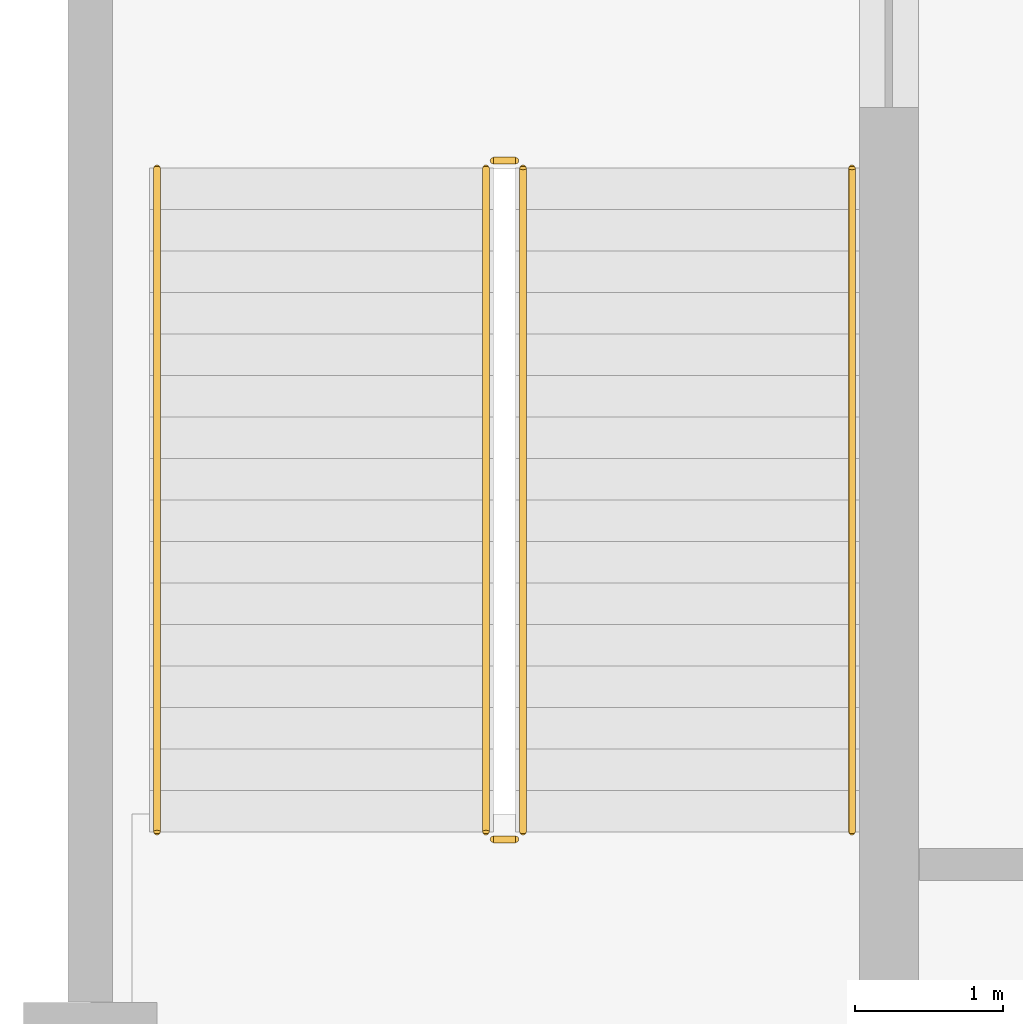
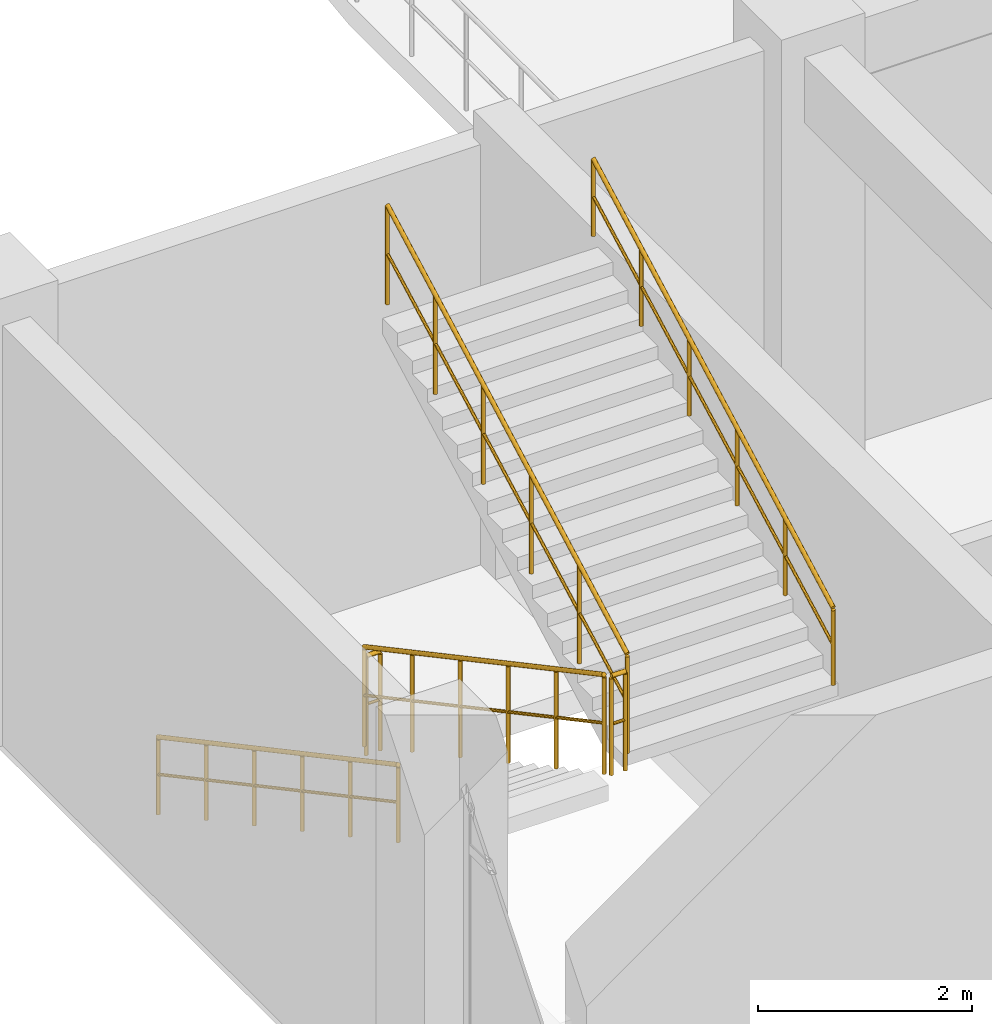
# One storey, part 110 of 120: 6 railings.
"""IFC4 building model written with IfcOpenShell, lengths in metres."""

from ifc_helpers import new_model, si_unit, derived_unit, direction, frame, origin, origin_2d, place, context, subcontext, project, spatial, circle, extrude, material, type_object, element, save


model = new_model("IFC4")

# Units and contexts
model_context = context("Model", 3, precision=1e-05, world=origin(), true_north=direction((0.0, 1.0)))
body_context = subcontext(model_context, "Body", "Model", "MODEL_VIEW")
ifc_project = project(units=[si_unit("LENGTHUNIT", "METRE"), si_unit("AREAUNIT", "SQUARE_METRE"), si_unit("VOLUMEUNIT", "CUBIC_METRE"), si_unit("PLANEANGLEUNIT", "RADIAN"), si_unit("MASSUNIT", "GRAM", prefix="KILO"), derived_unit("THERMALTRANSMITTANCEUNIT", [(si_unit("MASSUNIT", "GRAM", prefix="KILO"), 1), (si_unit("TIMEUNIT", "SECOND"), -3), (si_unit("THERMODYNAMICTEMPERATUREUNIT", "KELVIN"), -1)])], contexts=[model_context])

# Site, building, storey
site_placement = place(None, origin())
site = spatial("IfcSite", under=ifc_project, at=site_placement, CompositionType="ELEMENT")
building_placement = place(site_placement, origin())
building = spatial("IfcBuilding", under=site, at=building_placement, Name="Qinzheling Arcade Emporium", CompositionType="ELEMENT")
storey_placement = place(building_placement, frame((0.0, 0.0, 11.39990234375)))
storey = spatial("IfcBuildingStorey", under=building, at=storey_placement, Name="L03", CompositionType="ELEMENT", Elevation=11.39990234375)

# Railings
ifc_material_1 = material(Name="Galvanised powder-coated tubular steel", Category="steel")
railing_type_1 = type_object("IfcRailingType", Name="Painted Steel Stairwell Guard Railing 1150", PredefinedType="GUARDRAIL", material=ifc_material_1)
railing_1_placement = place(storey_placement, frame((2.669921875, 39.679931640625, 0.150146484375)))
element("IfcRailing", 1, at=railing_1_placement, inside=storey, type_object=railing_type_1, Name="L03 ST02 stair guard 1", PredefinedType="GUARDRAIL", context=body_context, shape_type="SweptSolid", body=[
    extrude(circle(Radius=0.02392578125, at=origin_2d()), frame((0.0, 0.0, 1.1259765625), z_axis=(0.0, -0.881487111273, 0.472208081951), x_axis=(1.0, 0.0, 0.0)), (0.0, 0.0, 1.0), 5.082275390625),
    extrude(circle(Radius=0.01611328125, at=origin_2d()), frame((0.0, 0.0, 0.574951171875), z_axis=(0.0, -0.881487111273, 0.472208081951), x_axis=(1.0, 0.0, 0.0)), (0.0, 0.0, 1.0), 5.082275390625),
    extrude(circle(Radius=0.02099609375, at=origin_2d()), origin(), (0.0, 0.0, 1.0), 1.101806640625),
    extrude(circle(Radius=0.02099609375, at=origin_2d()), frame((0.0, -0.89599609375, 0.47998046875)), (0.0, 0.0, 1.0), 1.101806640625),
    extrude(circle(Radius=0.02099609375, at=origin_2d()), frame((0.0, -1.7919921875, 0.9599609375)), (0.0, 0.0, 1.0), 1.101806640625),
    extrude(circle(Radius=0.02099609375, at=origin_2d()), frame((0.0, -2.68798828125, 1.43994140625)), (0.0, 0.0, 1.0), 1.101806640625),
    extrude(circle(Radius=0.02099609375, at=origin_2d()), frame((0.0, -3.583984375, 1.919921875)), (0.0, 0.0, 1.0), 1.101806640625),
    extrude(circle(Radius=0.02099609375, at=origin_2d()), frame((0.0, -4.47998046875, 2.39990234375)), (0.0, 0.0, 1.0), 1.101806640625),
])
railing_2_placement = place(storey_placement, frame((2.719970703125, 35.14990234375, 2.550048828125)))
element("IfcRailing", 2, at=railing_2_placement, inside=storey, type_object=railing_type_1, Name="L03 ST02 stair guard 2", PredefinedType="GUARDRAIL", context=body_context, shape_type="SweptSolid", body=[
    extrude(circle(Radius=0.02392578125, at=origin_2d()), frame((0.0, 0.0, 1.1259765625), z_axis=(1.0, 0.0, 0.0), x_axis=(0.0, 1.0, 0.0)), (0.0, 0.0, 1.0), 0.150146484375),
    extrude(circle(Radius=0.01611328125, at=origin_2d()), frame((0.0, 0.0, 0.574951171875), z_axis=(1.0, 0.0, 0.0), x_axis=(0.0, 1.0, 0.0)), (0.0, 0.0, 1.0), 0.150146484375),
    extrude(circle(Radius=0.02099609375, at=origin_2d()), origin(), (0.0, 0.0, 1.0), 1.101806640625),
    extrude(circle(Radius=0.02099609375, at=origin_2d()), frame((0.150146484375, 0.0, 0.0)), (0.0, 0.0, 1.0), 1.101806640625),
])
railing_3_placement = place(storey_placement, frame((2.919921875, 35.199951171875, 2.7001953125)))
element("IfcRailing", 3, at=railing_3_placement, inside=storey, type_object=railing_type_1, Name="L03 ST02 stair guard 3", PredefinedType="GUARDRAIL", context=body_context, shape_type="SweptSolid", body=[
    extrude(circle(Radius=0.02392578125, at=origin_2d()), frame((0.0, 0.0, 1.1259765625), z_axis=(0.0, 0.881487111273, 0.472208081951), x_axis=(-1.0, 0.0, 0.0)), (0.0, 0.0, 1.0), 5.082275390625),
    extrude(circle(Radius=0.01611328125, at=origin_2d()), frame((0.0, 0.0, 0.574951171875), z_axis=(0.0, 0.881487111273, 0.472208081951), x_axis=(-1.0, 0.0, 0.0)), (0.0, 0.0, 1.0), 5.082275390625),
    extrude(circle(Radius=0.02099609375, at=origin_2d()), origin(), (0.0, 0.0, 1.0), 1.101806640625),
    extrude(circle(Radius=0.02099609375, at=origin_2d()), frame((0.0, 0.89599609375, 0.47998046875)), (0.0, 0.0, 1.0), 1.101806640625),
    extrude(circle(Radius=0.02099609375, at=origin_2d()), frame((0.0, 1.7919921875, 0.9599609375)), (0.0, 0.0, 1.0), 1.101806640625),
    extrude(circle(Radius=0.02099609375, at=origin_2d()), frame((0.0, 2.68798828125, 1.43994140625)), (0.0, 0.0, 1.0), 1.101806640625),
    extrude(circle(Radius=0.02099609375, at=origin_2d()), frame((0.0, 3.583984375, 1.919921875)), (0.0, 0.0, 1.0), 1.101806640625),
    extrude(circle(Radius=0.02099609375, at=origin_2d()), frame((0.0, 4.47998046875, 2.39990234375)), (0.0, 0.0, 1.0), 1.101806640625),
])
railing_4_placement = place(storey_placement, frame((2.719970703125, 39.72998046875, 0.0)))
element("IfcRailing", 4, at=railing_4_placement, inside=storey, type_object=railing_type_1, Name="L03 ST02 stair guard 4", PredefinedType="GUARDRAIL", context=body_context, shape_type="SweptSolid", body=[
    extrude(circle(Radius=0.02392578125, at=origin_2d()), frame((0.0, 0.0, 1.1259765625), z_axis=(1.0, 0.0, 0.0), x_axis=(0.0, 1.0, 0.0)), (0.0, 0.0, 1.0), 0.150146484375),
    extrude(circle(Radius=0.01611328125, at=origin_2d()), frame((0.0, 0.0, 0.574951171875), z_axis=(1.0, 0.0, 0.0), x_axis=(0.0, 1.0, 0.0)), (0.0, 0.0, 1.0), 0.150146484375),
    extrude(circle(Radius=0.02099609375, at=origin_2d()), origin(), (0.0, 0.0, 1.0), 1.101806640625),
    extrude(circle(Radius=0.02099609375, at=origin_2d()), frame((0.150146484375, 0.0, 0.0)), (0.0, 0.0, 1.0), 1.101806640625),
])
ifc_material_2 = material(Name="Brushed stainless steel 304", Category="steel")
railing_type_2 = type_object("IfcRailingType", Name="Stainless Steel Wall Handrail 900", PredefinedType="HANDRAIL", material=ifc_material_2)
railing_5_placement = place(storey_placement, frame((0.449951171875, 39.679931640625, 0.150146484375)))
element("IfcRailing", 5, at=railing_5_placement, inside=storey, type_object=railing_type_2, Name="L03 ST02 stair handrail 1", PredefinedType="HANDRAIL", context=body_context, shape_type="SweptSolid", body=[
    extrude(circle(Radius=0.02392578125, at=origin_2d()), frame((0.0, 0.0, 0.8759765625), z_axis=(0.0, -0.881487111273, 0.472208081951), x_axis=(1.0, 0.0, 0.0)), (0.0, 0.0, 1.0), 5.082275390625),
    extrude(circle(Radius=0.01611328125, at=origin_2d()), frame((0.0, 0.0, 0.449951171875), z_axis=(0.0, -0.881487111273, 0.472208081951), x_axis=(1.0, 0.0, 0.0)), (0.0, 0.0, 1.0), 5.082275390625),
    extrude(circle(Radius=0.02099609375, at=origin_2d()), origin(), (0.0, 0.0, 1.0), 0.851806640625),
    extrude(circle(Radius=0.02099609375, at=origin_2d()), frame((0.0, -0.89599609375, 0.47998046875)), (0.0, 0.0, 1.0), 0.851806640625),
    extrude(circle(Radius=0.02099609375, at=origin_2d()), frame((0.0, -1.7919921875, 0.9599609375)), (0.0, 0.0, 1.0), 0.851806640625),
    extrude(circle(Radius=0.02099609375, at=origin_2d()), frame((0.0, -2.68798828125, 1.43994140625)), (0.0, 0.0, 1.0), 0.851806640625),
    extrude(circle(Radius=0.02099609375, at=origin_2d()), frame((0.0, -3.583984375, 1.919921875)), (0.0, 0.0, 1.0), 0.851806640625),
    extrude(circle(Radius=0.02099609375, at=origin_2d()), frame((0.0, -4.47998046875, 2.39990234375)), (0.0, 0.0, 1.0), 0.851806640625),
])
railing_6_placement = place(storey_placement, frame((5.139892578125, 35.199951171875, 2.7001953125)))
element("IfcRailing", 6, at=railing_6_placement, inside=storey, type_object=railing_type_2, Name="L03 ST02 stair handrail 2", PredefinedType="HANDRAIL", context=body_context, shape_type="SweptSolid", body=[
    extrude(circle(Radius=0.02392578125, at=origin_2d()), frame((0.0, 0.0, 0.8759765625), z_axis=(0.0, 0.881487111273, 0.472208081951), x_axis=(-1.0, 0.0, 0.0)), (0.0, 0.0, 1.0), 5.082275390625),
    extrude(circle(Radius=0.01611328125, at=origin_2d()), frame((0.0, 0.0, 0.449951171875), z_axis=(0.0, 0.881487111273, 0.472208081951), x_axis=(-1.0, 0.0, 0.0)), (0.0, 0.0, 1.0), 5.082275390625),
    extrude(circle(Radius=0.02099609375, at=origin_2d()), origin(), (0.0, 0.0, 1.0), 0.851806640625),
    extrude(circle(Radius=0.02099609375, at=origin_2d()), frame((0.0, 0.89599609375, 0.47998046875)), (0.0, 0.0, 1.0), 0.851806640625),
    extrude(circle(Radius=0.02099609375, at=origin_2d()), frame((0.0, 1.7919921875, 0.9599609375)), (0.0, 0.0, 1.0), 0.851806640625),
    extrude(circle(Radius=0.02099609375, at=origin_2d()), frame((0.0, 2.68798828125, 1.43994140625)), (0.0, 0.0, 1.0), 0.851806640625),
    extrude(circle(Radius=0.02099609375, at=origin_2d()), frame((0.0, 3.583984375, 1.919921875)), (0.0, 0.0, 1.0), 0.851806640625),
    extrude(circle(Radius=0.02099609375, at=origin_2d()), frame((0.0, 4.47998046875, 2.39990234375)), (0.0, 0.0, 1.0), 0.851806640625),
])

save(model, "model.ifc")
